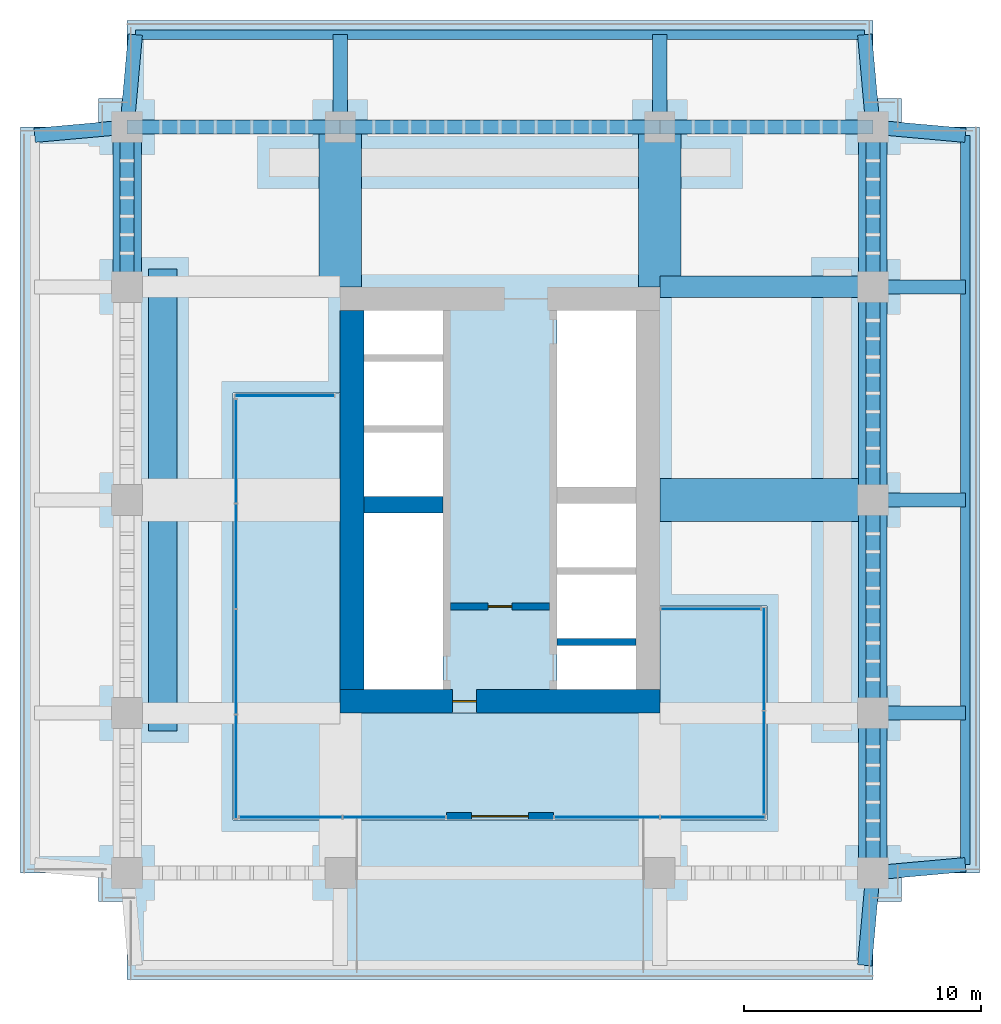
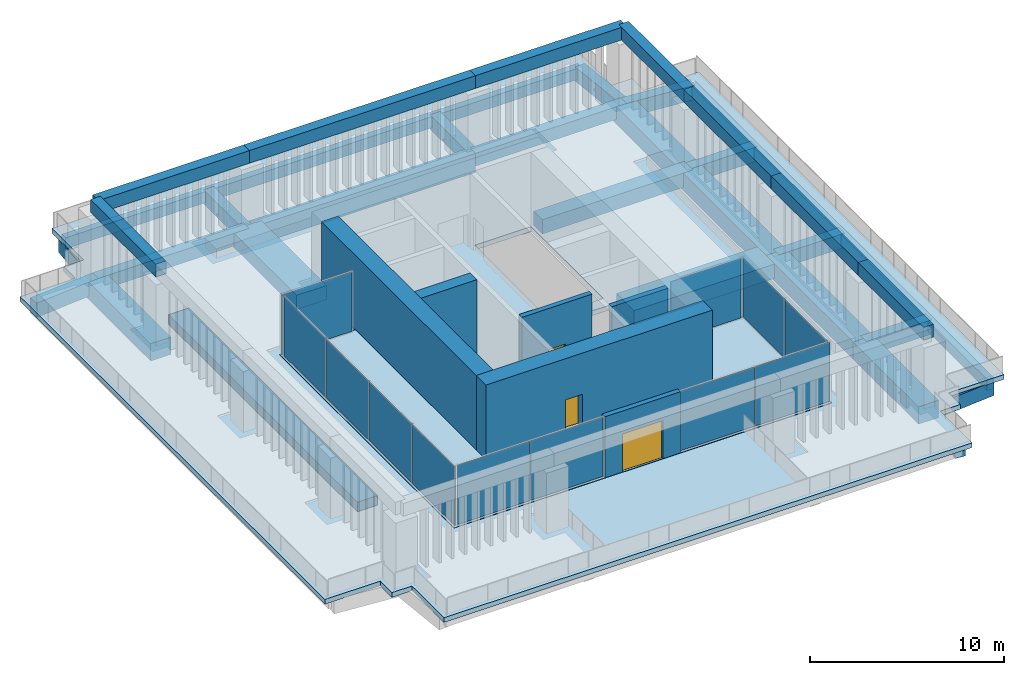
# One storey, part 6 of 9: 33 beams, 12 plates, 7 walls, 3 doors, 2 slabs, 3 openings, 6 elements without a shape of their own.
"""IFC4 building model written with IfcOpenShell, lengths in metres."""

from ifc_helpers import new_model, si_unit, direction, frame, frame_2d, origin, origin_2d, place, context, subcontext, project, spatial, polyline, rectangle, outline, extrude, material, layer, layer_set, material_profile, profile_set, type_object, element, fill, aggregate, save


model = new_model("IFC4")

# Units and contexts
model_context = context("Model", 3, precision=1e-05, world=origin(), true_north=direction((0.0, 1.0)))
body_context = subcontext(model_context, "Body", "Model", "MODEL_VIEW")
ifc_project = project(units=[si_unit("LENGTHUNIT", "METRE"), si_unit("AREAUNIT", "SQUARE_METRE"), si_unit("VOLUMEUNIT", "CUBIC_METRE"), si_unit("PLANEANGLEUNIT", "RADIAN"), si_unit("MASSUNIT", "GRAM", prefix="KILO")], contexts=[model_context])

# Site, building, storey
site_placement = place(None, origin())
site = spatial("IfcSite", under=ifc_project, at=site_placement, CompositionType="ELEMENT")
building_placement = place(site_placement, origin())
building = spatial("IfcBuilding", under=site, at=building_placement, Name="Namib Vertical Campus", CompositionType="ELEMENT")
storey_placement = place(building_placement, frame((0.0, 0.0, 297.0)))
storey = spatial("IfcBuildingStorey", under=building, at=storey_placement, Name="L70", CompositionType="ELEMENT", Elevation=297.0)

# Beams
ifc_material_1 = material(Name="Concrete C40/50", Category="concrete")
ifc_material_profile_1 = material_profile(ifc_material_1, rectangle(XDim=0.60009765625, YDim=0.89990234375, at=origin_2d()))
ifc_profile_set_1 = profile_set([ifc_material_profile_1], Name="Concrete C40/50")
beam_type_1 = type_object("IfcBeamType", Name="Cantilever girder RC 600x900", PredefinedType="BEAM", material=ifc_profile_set_1)
for number, where, z_axis, x_axis, name in (
    (1, (36.0, 4.5, -0.699951171875), (-0.089411326146, -0.995994786511, 0.0), (0.995994786511, -0.089411326146, 0.0), "Beam B3 L70"),
    (2, (4.5, 36.0, -0.699951171875), (0.089411326146, 0.995994786511, 0.0), (-0.995994786511, 0.089411326146, 0.0), "Beam B3 L70"),
):
    element("IfcBeam", number, at=place(storey_placement, frame(where, z_axis=z_axis, x_axis=x_axis)), inside=storey, type_object=beam_type_1, Name=name, PredefinedType="BEAM", context=body_context, shape_type="SweptSolid", body=[
        extrude(rectangle(XDim=0.60009765625, YDim=0.89990234375, at=origin_2d()), origin(), (0.0, 0.0, 1.0), 3.91552734375),
    ])
for number, where, z_axis, x_axis, name in (
    (3, (13.5, 36.0, -0.699951171875), (0.0, 1.0, 0.0), (-1.0, 0.0, 0.0), "Beam B3 L70"),
    (4, (27.0, 36.0, -0.699951171875), (0.0, 1.0, 0.0), (-1.0, 0.0, 0.0), "Beam B3 L70"),
):
    element("IfcBeam", number, at=place(storey_placement, frame(where, z_axis=z_axis, x_axis=x_axis)), inside=storey, type_object=beam_type_1, Name=name, PredefinedType="BEAM", context=body_context, shape_type="SweptSolid", body=[
        extrude(rectangle(XDim=0.60009765625, YDim=0.89990234375, at=origin_2d()), origin(), (0.0, 0.0, 1.0), 3.89990234375),
    ])
for number, where, z_axis, x_axis, name in (
    (5, (36.0, 36.0, -0.699951171875), (-0.089411326146, 0.995994786511, 0.0), (-0.995994786511, -0.089411326146, 0.0), "Beam B3 L70"),
    (6, (4.5, 36.0, -0.699951171875), (-0.995994786511, -0.089411326146, 0.0), (0.089411326146, -0.995994786511, 0.0), "Beam B3 L70"),
    (7, (36.0, 4.5, -0.699951171875), (0.995994786511, 0.089411326146, 0.0), (-0.089411326146, 0.995994786511, 0.0), "Beam B3 L70"),
):
    element("IfcBeam", number, at=place(storey_placement, frame(where, z_axis=z_axis, x_axis=x_axis)), inside=storey, type_object=beam_type_1, Name=name, PredefinedType="BEAM", context=body_context, shape_type="SweptSolid", body=[
        extrude(rectangle(XDim=0.60009765625, YDim=0.89990234375, at=origin_2d()), origin(), (0.0, 0.0, 1.0), 3.91552734375),
    ])
for number, where, z_axis, x_axis, name in (
    (8, (36.0, 11.25, -0.699951171875), (1.0, 0.0, 0.0), (0.0, 1.0, 0.0), "Beam B3 L70"),
    (9, (36.0, 20.25, -0.699951171875), (1.0, 0.0, 0.0), (0.0, 1.0, 0.0), "Beam B3 L70"),
    (10, (36.0, 29.25, -0.699951171875), (1.0, 0.0, 0.0), (0.0, 1.0, 0.0), "Beam B3 L70"),
):
    element("IfcBeam", number, at=place(storey_placement, frame(where, z_axis=z_axis, x_axis=x_axis)), inside=storey, type_object=beam_type_1, Name=name, PredefinedType="BEAM", context=body_context, shape_type="SweptSolid", body=[
        extrude(rectangle(XDim=0.60009765625, YDim=0.89990234375, at=origin_2d()), origin(), (0.0, 0.0, 1.0), 3.89990234375),
    ])
beam_1_placement = place(storey_placement, frame((36.0, 36.0, -0.699951171875), z_axis=(0.995994786511, -0.089411326146, 0.0), x_axis=(0.089411326146, 0.995994786511, 0.0)))
element("IfcBeam", 11, at=beam_1_placement, inside=storey, type_object=beam_type_1, Name="Beam B3 L70", PredefinedType="BEAM", context=body_context, shape_type="SweptSolid", body=[
    extrude(rectangle(XDim=0.60009765625, YDim=0.89990234375, at=origin_2d()), origin(), (0.0, 0.0, 1.0), 3.91552734375),
])
ifc_material_2 = material(Name="Concrete C40/50", Category="concrete")
ifc_material_profile_2 = material_profile(ifc_material_2, rectangle(XDim=0.39990234375, YDim=0.699951171875, at=origin_2d()))
ifc_profile_set_2 = profile_set([ifc_material_profile_2], Name="Concrete C40/50")
beam_type_2 = type_object("IfcBeamType", Name="Edge beam RC 400x700", PredefinedType="SPANDREL", material=ifc_profile_set_2)
for number, where, z_axis, x_axis, name in (
    (12, (4.85009765625, 39.89990234375, -0.60009765625), (1.0, 0.0, 0.0), (0.0, 1.0, 0.0), "Beam B4 L70"),
    (13, (39.89990234375, 4.85009765625, -0.60009765625), (0.0, 1.0, 0.0), (-1.0, 0.0, 0.0), "Beam B4 L70"),
):
    element("IfcBeam", number, at=place(storey_placement, frame(where, z_axis=z_axis, x_axis=x_axis)), inside=storey, type_object=beam_type_2, Name=name, PredefinedType="SPANDREL", context=body_context, shape_type="SweptSolid", body=[
        extrude(rectangle(XDim=0.39990234375, YDim=0.699951171875, at=origin_2d()), origin(), (0.0, 0.0, 1.0), 30.7998046875),
    ])
ifc_material_3 = material(Name="Concrete C40/50", Category="concrete")
ifc_material_profile_3 = material_profile(ifc_material_3, rectangle(XDim=0.89990234375, YDim=0.89990234375, at=origin_2d()))
ifc_profile_set_3 = profile_set([ifc_material_profile_3], Name="Concrete C40/50")
beam_type_3 = type_object("IfcBeamType", Name="Face girder RC 900x900", PredefinedType="BEAM", material=ifc_profile_set_3)
beam_2_placement = place(storey_placement, frame((36.0, 29.25, -0.699951171875), z_axis=(-1.0, 0.0, 0.0), x_axis=(0.0, -1.0, 0.0)))
element("IfcBeam", 14, at=beam_2_placement, inside=storey, type_object=beam_type_3, Name="Beam B10 L70", PredefinedType="BEAM", context=body_context, shape_type="SweptSolid", body=[
    extrude(rectangle(XDim=0.89990234375, YDim=0.89990234375, at=origin_2d()), origin(), (0.0, 0.0, 1.0), 9.0),
])
ifc_material_4 = material(Name="Concrete C40/50", Category="concrete")
ifc_material_profile_4 = material_profile(ifc_material_4, rectangle(XDim=1.199951171875, YDim=1.10009765625, at=origin_2d()))
ifc_profile_set_4 = profile_set([ifc_material_profile_4], Name="Concrete C40/50")
beam_type_4 = type_object("IfcBeamType", Name="Face ring beam RC 1200x1100", PredefinedType="BEAM", material=ifc_profile_set_4)
for number, where, z_axis, x_axis, name in (
    (15, (4.5, 29.25, -0.800048828125), (0.0, 1.0, 0.0), (-1.0, 0.0, 0.0), "Beam B11 L70"),
    (16, (36.0, 4.5, -0.800048828125), (0.0, 1.0, 0.0), (-1.0, 0.0, 0.0), "Beam B11 L70"),
):
    element("IfcBeam", number, at=place(storey_placement, frame(where, z_axis=z_axis, x_axis=x_axis)), inside=storey, type_object=beam_type_4, Name=name, PredefinedType="BEAM", context=body_context, shape_type="SweptSolid", body=[
        extrude(rectangle(XDim=1.199951171875, YDim=1.10009765625, at=origin_2d()), origin(), (0.0, 0.0, 1.0), 6.75),
    ])
for number, where, z_axis, x_axis, name in (
    (17, (36.0, 11.25, -0.800048828125), (0.0, 1.0, 0.0), (-1.0, 0.0, 0.0), "Beam B11 L70"),
    (18, (36.0, 20.25, -0.800048828125), (0.0, 1.0, 0.0), (-1.0, 0.0, 0.0), "Beam B11 L70"),
):
    element("IfcBeam", number, at=place(storey_placement, frame(where, z_axis=z_axis, x_axis=x_axis)), inside=storey, type_object=beam_type_4, Name=name, PredefinedType="BEAM", context=body_context, shape_type="SweptSolid", body=[
        extrude(rectangle(XDim=1.199951171875, YDim=1.10009765625, at=origin_2d()), origin(), (0.0, 0.0, 1.0), 9.0),
    ])
beam_3_placement = place(storey_placement, frame((36.0, 29.25, -0.800048828125), z_axis=(0.0, 1.0, 0.0), x_axis=(-1.0, 0.0, 0.0)))
element("IfcBeam", 19, at=beam_3_placement, inside=storey, type_object=beam_type_4, Name="Beam B11 L70", PredefinedType="BEAM", context=body_context, shape_type="SweptSolid", body=[
    extrude(rectangle(XDim=1.199951171875, YDim=1.10009765625, at=origin_2d()), origin(), (0.0, 0.0, 1.0), 6.75),
])
ifc_material_5 = material(Name="Concrete C40/50", Category="concrete")
ifc_material_profile_5 = material_profile(ifc_material_5, rectangle(XDim=0.60009765625, YDim=1.199951171875, at=origin_2d()))
ifc_profile_set_5 = profile_set([ifc_material_profile_5], Name="Concrete C40/50")
beam_type_5 = type_object("IfcBeamType", Name="Long-span ring beam RC 600x1200", PredefinedType="BEAM", material=ifc_profile_set_5)
beam_4_placement = place(storey_placement, frame((13.5, 36.0, -0.85009765625), z_axis=(1.0, 0.0, 0.0), x_axis=(0.0, 1.0, 0.0)))
element("IfcBeam", 20, at=beam_4_placement, inside=storey, type_object=beam_type_5, Name="Beam B9 L70", PredefinedType="BEAM", context=body_context, shape_type="SweptSolid", body=[
    extrude(rectangle(XDim=0.60009765625, YDim=1.199951171875, at=origin_2d()), origin(), (0.0, 0.0, 1.0), 13.5),
])
ifc_material_6 = material(Name="Concrete C40/50", Category="concrete")
ifc_material_profile_6 = material_profile(ifc_material_6, rectangle(XDim=1.800048828125, YDim=0.89990234375, at=origin_2d()))
ifc_profile_set_6 = profile_set([ifc_material_profile_6], Name="Concrete C40/50")
beam_type_6 = type_object("IfcBeamType", Name="Outrigger line girder RC 1800x900", PredefinedType="BEAM", material=ifc_profile_set_6)
for number, where, z_axis, x_axis, name in (
    (21, (13.5, 36.0, -0.699951171875), (0.0, -1.0, 0.0), (1.0, 0.0, 0.0), "Beam B12 L70"),
    (22, (27.0, 36.0, -0.699951171875), (0.0, -1.0, 0.0), (1.0, 0.0, 0.0), "Beam B12 L70"),
):
    element("IfcBeam", number, at=place(storey_placement, frame(where, z_axis=z_axis, x_axis=x_axis)), inside=storey, type_object=beam_type_6, Name=name, PredefinedType="BEAM", context=body_context, shape_type="SweptSolid", body=[
        extrude(rectangle(XDim=1.800048828125, YDim=0.89990234375, at=origin_2d()), origin(), (0.0, 0.0, 1.0), 6.75),
    ])
beam_5_placement = place(storey_placement, frame((36.0, 20.25, -0.699951171875), z_axis=(-1.0, 0.0, 0.0), x_axis=(0.0, -1.0, 0.0)))
element("IfcBeam", 23, at=beam_5_placement, inside=storey, type_object=beam_type_6, Name="Beam B12 L70", PredefinedType="BEAM", context=body_context, shape_type="SweptSolid", body=[
    extrude(rectangle(XDim=1.800048828125, YDim=0.89990234375, at=origin_2d()), origin(), (0.0, 0.0, 1.0), 9.0),
])
ifc_material_7 = material(Name="Concrete C40/50", Category="concrete")
ifc_material_profile_7 = material_profile(ifc_material_7, rectangle(XDim=0.60009765625, YDim=0.800048828125, at=origin_2d()))
ifc_profile_set_7 = profile_set([ifc_material_profile_7], Name="Concrete C40/50")
beam_type_7 = type_object("IfcBeamType", Name="Ring beam RC 600x800", PredefinedType="BEAM", material=ifc_profile_set_7)
for number, where, z_axis, x_axis, name in (
    (24, (4.5, 36.0, -0.64990234375), (1.0, 0.0, 0.0), (0.0, 1.0, 0.0), "Beam B1 L70"),
    (25, (27.0, 36.0, -0.64990234375), (1.0, 0.0, 0.0), (0.0, 1.0, 0.0), "Beam B1 L70"),
    (26, (4.5, 36.0, 4.25), (1.0, 0.0, 0.0), (0.0, 1.0, 0.0), "Canopy ring beam B1 RBN1"),
):
    element("IfcBeam", number, at=place(storey_placement, frame(where, z_axis=z_axis, x_axis=x_axis)), inside=storey, type_object=beam_type_7, Name=name, PredefinedType="BEAM", context=body_context, shape_type="SweptSolid", body=[
        extrude(rectangle(XDim=0.60009765625, YDim=0.800048828125, at=origin_2d()), origin(), (0.0, 0.0, 1.0), 9.0),
    ])
beam_6_placement = place(storey_placement, frame((13.5, 36.0, 4.25), z_axis=(1.0, 0.0, 0.0), x_axis=(0.0, 1.0, 0.0)))
element("IfcBeam", 27, at=beam_6_placement, inside=storey, type_object=beam_type_7, Name="Canopy ring beam B1 RBN2", PredefinedType="BEAM", context=body_context, shape_type="SweptSolid", body=[
    extrude(rectangle(XDim=0.60009765625, YDim=0.800048828125, at=origin_2d()), origin(), (0.0, 0.0, 1.0), 13.5),
])
beam_7_placement = place(storey_placement, frame((27.0, 36.0, 4.25), z_axis=(1.0, 0.0, 0.0), x_axis=(0.0, 1.0, 0.0)))
element("IfcBeam", 28, at=beam_7_placement, inside=storey, type_object=beam_type_7, Name="Canopy ring beam B1 RBN3", PredefinedType="BEAM", context=body_context, shape_type="SweptSolid", body=[
    extrude(rectangle(XDim=0.60009765625, YDim=0.800048828125, at=origin_2d()), origin(), (0.0, 0.0, 1.0), 9.0),
])
for number, where, z_axis, x_axis, name in (
    (29, (4.5, 29.25, 4.25), (0.0, 1.0, 0.0), (-1.0, 0.0, 0.0), "Canopy ring beam B1 RBW4"),
    (30, (36.0, 4.5, 4.25), (0.0, 1.0, 0.0), (-1.0, 0.0, 0.0), "Canopy ring beam B1 RBE1"),
):
    element("IfcBeam", number, at=place(storey_placement, frame(where, z_axis=z_axis, x_axis=x_axis)), inside=storey, type_object=beam_type_7, Name=name, PredefinedType="BEAM", context=body_context, shape_type="SweptSolid", body=[
        extrude(rectangle(XDim=0.60009765625, YDim=0.800048828125, at=origin_2d()), origin(), (0.0, 0.0, 1.0), 6.75),
    ])
for number, where, z_axis, x_axis, name in (
    (31, (36.0, 11.25, 4.25), (0.0, 1.0, 0.0), (-1.0, 0.0, 0.0), "Canopy ring beam B1 RBE2"),
    (32, (36.0, 20.25, 4.25), (0.0, 1.0, 0.0), (-1.0, 0.0, 0.0), "Canopy ring beam B1 RBE3"),
):
    element("IfcBeam", number, at=place(storey_placement, frame(where, z_axis=z_axis, x_axis=x_axis)), inside=storey, type_object=beam_type_7, Name=name, PredefinedType="BEAM", context=body_context, shape_type="SweptSolid", body=[
        extrude(rectangle(XDim=0.60009765625, YDim=0.800048828125, at=origin_2d()), origin(), (0.0, 0.0, 1.0), 9.0),
    ])
beam_8_placement = place(storey_placement, frame((36.0, 29.25, 4.25), z_axis=(0.0, 1.0, 0.0), x_axis=(-1.0, 0.0, 0.0)))
element("IfcBeam", 33, at=beam_8_placement, inside=storey, type_object=beam_type_7, Name="Canopy ring beam B1 RBE4", PredefinedType="BEAM", context=body_context, shape_type="SweptSolid", body=[
    extrude(rectangle(XDim=0.60009765625, YDim=0.800048828125, at=origin_2d()), origin(), (0.0, 0.0, 1.0), 6.75),
])

# Curtain wall, plates
ifc_material_8 = material(Name="Black aluminium curtain wall", Category="aluminium")
ifc_layer_1 = layer(ifc_material_8, 0.199951171875)
ifc_layer_set_1 = layer_set([ifc_layer_1], Name="Pavilion curtain wall CW-PV")
curtain_wall_type = type_object("IfcCurtainWallType", Name="Pavilion curtain wall CW-PV", PredefinedType="USERDEFINED", material=ifc_layer_set_1)
curtain_wall_1_placement = place(storey_placement, origin())
curtain_wall_1 = element("IfcCurtainWall", 34, at=curtain_wall_1_placement, inside=storey, type_object=curtain_wall_type, Name="Curtain wall CW-PV L70 1", ObjectType="CURTAIN WALL", PredefinedType="USERDEFINED")
ifc_material_9 = material(Name="Dark tinted glass", Category="glass")
ifc_layer_2 = layer(ifc_material_9, 0.028076171875)
ifc_layer_set_2 = layer_set([ifc_layer_2], Name="Dark solar glass panel 28")
plate_type = type_object("IfcPlateType", Name="Dark solar glass panel 28", PredefinedType="CURTAIN_PANEL", material=ifc_layer_set_2)
plate_1_placement = place(storey_placement, frame((31.39990234375, 9.1650390625, 0.06005859375), z_axis=(0.0, 0.0, 1.0), x_axis=(0.0, 1.0, 0.0)))
plate_1 = element("IfcPlate", 35, at=plate_1_placement, type_object=plate_type, Name="CW-PV panel 1.1", PredefinedType="CURTAIN_PANEL", context=body_context, shape_type="SweptSolid", body=[
    extrude(rectangle(XDim=4.31005859375, YDim=0.028076171875, at=origin_2d()), origin(), (0.0, 0.0, 1.0), 3.72998046875),
])
plate_2_placement = place(storey_placement, frame((31.39990234375, 13.534912109375, 0.06005859375), z_axis=(0.0, 0.0, 1.0), x_axis=(0.0, 1.0, 0.0)))
plate_2 = element("IfcPlate", 36, at=plate_2_placement, type_object=plate_type, Name="CW-PV panel 2.1", PredefinedType="CURTAIN_PANEL", context=body_context, shape_type="SweptSolid", body=[
    extrude(rectangle(XDim=4.31005859375, YDim=0.028076171875, at=origin_2d()), origin(), (0.0, 0.0, 1.0), 3.72998046875),
])
aggregate(curtain_wall_1, [plate_1, plate_2])

# Curtain wall, plate
curtain_wall_2_placement = place(storey_placement, origin())
curtain_wall_2 = element("IfcCurtainWall", 37, at=curtain_wall_2_placement, inside=storey, type_object=curtain_wall_type, Name="Curtain wall CW-PV L70 2", ObjectType="CURTAIN WALL", PredefinedType="USERDEFINED")
plate_3_placement = place(storey_placement, frame((29.14990234375, 15.64990234375, 0.06005859375), z_axis=(0.0, 0.0, 1.0), x_axis=(-1.0, 0.0, 0.0)))
plate_3 = element("IfcPlate", 38, at=plate_3_placement, type_object=plate_type, Name="CW-PV panel 1.1", PredefinedType="CURTAIN_PANEL", context=body_context, shape_type="SweptSolid", body=[
    extrude(rectangle(XDim=4.179931640625, YDim=0.028076171875, at=origin_2d()), origin(), (0.0, 0.0, 1.0), 3.72998046875),
])
aggregate(curtain_wall_2, [plate_3])

curtain_wall_3_placement = place(storey_placement, origin())
curtain_wall_3 = element("IfcCurtainWall", 39, at=curtain_wall_3_placement, inside=storey, type_object=curtain_wall_type, Name="Curtain wall CW-PV L70 6", ObjectType="CURTAIN WALL", PredefinedType="USERDEFINED")
plate_4_placement = place(storey_placement, frame((11.14990234375, 24.64990234375, 0.06005859375), z_axis=(0.0, 0.0, 1.0), x_axis=(-1.0, 0.0, 0.0)))
plate_4 = element("IfcPlate", 40, at=plate_4_placement, type_object=plate_type, Name="CW-PV panel 1.1", PredefinedType="CURTAIN_PANEL", context=body_context, shape_type="SweptSolid", body=[
    extrude(rectangle(XDim=4.179931640625, YDim=0.028076171875, at=origin_2d()), origin(), (0.0, 0.0, 1.0), 3.72998046875),
])
aggregate(curtain_wall_3, [plate_4])

# Curtain wall, plates
curtain_wall_4_placement = place(storey_placement, origin())
curtain_wall_4 = element("IfcCurtainWall", 41, at=curtain_wall_4_placement, inside=storey, type_object=curtain_wall_type, Name="Curtain wall CW-PV L70 7", ObjectType="CURTAIN WALL", PredefinedType="USERDEFINED")
plate_5_placement = place(storey_placement, frame((9.10009765625, 22.31005859375, 0.06005859375), z_axis=(0.0, 0.0, 1.0), x_axis=(0.0, -1.0, 0.0)))
plate_5 = element("IfcPlate", 42, at=plate_5_placement, type_object=plate_type, Name="CW-PV panel 1.1", PredefinedType="CURTAIN_PANEL", context=body_context, shape_type="SweptSolid", body=[
    extrude(rectangle(XDim=4.360107421875, YDim=0.028076171875, at=origin_2d()), origin(), (0.0, 0.0, 1.0), 3.72998046875),
])
plate_6_placement = place(storey_placement, frame((9.10009765625, 17.875, 0.06005859375), z_axis=(0.0, 0.0, 1.0), x_axis=(0.0, -1.0, 0.0)))
plate_6 = element("IfcPlate", 43, at=plate_6_placement, type_object=plate_type, Name="CW-PV panel 2.1", PredefinedType="CURTAIN_PANEL", context=body_context, shape_type="SweptSolid", body=[
    extrude(rectangle(XDim=4.389892578125, YDim=0.028076171875, at=origin_2d()), origin(), (0.0, 0.0, 1.0), 3.72998046875),
])
plate_7_placement = place(storey_placement, frame((9.10009765625, 13.425048828125, 0.06005859375), z_axis=(0.0, 0.0, 1.0), x_axis=(0.0, -1.0, 0.0)))
plate_7 = element("IfcPlate", 44, at=plate_7_placement, type_object=plate_type, Name="CW-PV panel 3.1", PredefinedType="CURTAIN_PANEL", context=body_context, shape_type="SweptSolid", body=[
    extrude(rectangle(XDim=4.389892578125, YDim=0.028076171875, at=origin_2d()), origin(), (0.0, 0.0, 1.0), 3.72998046875),
])
plate_8_placement = place(storey_placement, frame((9.10009765625, 8.989990234375, 0.06005859375), z_axis=(0.0, 0.0, 1.0), x_axis=(0.0, -1.0, 0.0)))
plate_8 = element("IfcPlate", 45, at=plate_8_placement, type_object=plate_type, Name="CW-PV panel 4.1", PredefinedType="CURTAIN_PANEL", context=body_context, shape_type="SweptSolid", body=[
    extrude(rectangle(XDim=4.360107421875, YDim=0.028076171875, at=origin_2d()), origin(), (0.0, 0.0, 1.0), 3.72998046875),
])
aggregate(curtain_wall_4, [plate_5, plate_6, plate_7, plate_8])

curtain_wall_5_placement = place(storey_placement, origin())
curtain_wall_5 = element("IfcCurtainWall", 46, at=curtain_wall_5_placement, inside=storey, type_object=curtain_wall_type, Name="Curtain wall CW-PV L70 south 1", ObjectType="CURTAIN WALL", PredefinedType="USERDEFINED")
plate_9_placement = place(storey_placement, frame((11.4150390625, 6.85009765625, 0.06005859375), z_axis=(0.0, 0.0, 1.0), x_axis=(1.0, 0.0, 0.0)))
plate_9 = element("IfcPlate", 47, at=plate_9_placement, type_object=plate_type, Name="CW-PV panel 1.1", PredefinedType="CURTAIN_PANEL", context=body_context, shape_type="SweptSolid", body=[
    extrude(rectangle(XDim=4.31005859375, YDim=0.028076171875, at=origin_2d()), origin(), (0.0, 0.0, 1.0), 3.72998046875),
])
plate_10_placement = place(storey_placement, frame((15.784912109375, 6.85009765625, 0.06005859375), z_axis=(0.0, 0.0, 1.0), x_axis=(1.0, 0.0, 0.0)))
plate_10 = element("IfcPlate", 48, at=plate_10_placement, type_object=plate_type, Name="CW-PV panel 2.1", PredefinedType="CURTAIN_PANEL", context=body_context, shape_type="SweptSolid", body=[
    extrude(rectangle(XDim=4.31005859375, YDim=0.028076171875, at=origin_2d()), origin(), (0.0, 0.0, 1.0), 3.72998046875),
])
aggregate(curtain_wall_5, [plate_9, plate_10])

curtain_wall_6_placement = place(storey_placement, origin())
curtain_wall_6 = element("IfcCurtainWall", 49, at=curtain_wall_6_placement, inside=storey, type_object=curtain_wall_type, Name="Curtain wall CW-PV L70 south 2", ObjectType="CURTAIN WALL", PredefinedType="USERDEFINED")
plate_11_placement = place(storey_placement, frame((24.764892578125, 6.85009765625, 0.06005859375), z_axis=(0.0, 0.0, 1.0), x_axis=(1.0, 0.0, 0.0)))
plate_11 = element("IfcPlate", 50, at=plate_11_placement, type_object=plate_type, Name="CW-PV panel 1.1", PredefinedType="CURTAIN_PANEL", context=body_context, shape_type="SweptSolid", body=[
    extrude(rectangle(XDim=4.409912109375, YDim=0.028076171875, at=origin_2d()), origin(), (0.0, 0.0, 1.0), 3.72998046875),
])
plate_12_placement = place(storey_placement, frame((29.235107421875, 6.85009765625, 0.06005859375), z_axis=(0.0, 0.0, 1.0), x_axis=(1.0, 0.0, 0.0)))
plate_12 = element("IfcPlate", 51, at=plate_12_placement, type_object=plate_type, Name="CW-PV panel 2.1", PredefinedType="CURTAIN_PANEL", context=body_context, shape_type="SweptSolid", body=[
    extrude(rectangle(XDim=4.409912109375, YDim=0.028076171875, at=origin_2d()), origin(), (0.0, 0.0, 1.0), 3.72998046875),
])
aggregate(curtain_wall_6, [plate_11, plate_12])

# Slabs
ifc_material_10 = material(Name="Concrete C40/50", Category="concrete")
ifc_layer_3 = layer(ifc_material_10, 0.300048828125)
ifc_layer_set_3 = layer_set([ifc_layer_3], Name="Concrete C40/50")
slab_type_1 = type_object("IfcSlabType", Name="Floor slab 300", PredefinedType="FLOOR", material=ifc_layer_set_3)
slab_1_placement = place(storey_placement, frame((0.0, 0.0, -0.300048828125)))
element("IfcSlab", 52, at=slab_1_placement, inside=storey, type_object=slab_type_1, Name="Crown reading room floor slab", PredefinedType="FLOOR", context=body_context, shape_type="SweptSolid", body=[
    extrude(outline(polyline([(9.0, 6.75), (31.5, 6.75), (31.5, 15.75), (27.0, 15.75), (27.0, 11.25), (13.5, 11.25), (13.5, 24.75), (9.0, 24.75), (9.0, 6.75)])), origin(), (0.0, 0.0, 1.0), 0.300048828125),
])
ifc_material_11 = material(Name="Concrete C40/50", Category="concrete")
ifc_layer_4 = layer(ifc_material_11, 0.300048828125)
ifc_layer_set_4 = layer_set([ifc_layer_4], Name="Concrete C40/50")
slab_type_2 = type_object("IfcSlabType", Name="Sky garden roof slab 300", PredefinedType="ROOF", material=ifc_layer_set_4)
slab_2_placement = place(storey_placement, frame((0.0, 0.0, -0.300048828125)))
element("IfcSlab", 53, at=slab_2_placement, inside=storey, type_object=slab_type_2, Name="Sky garden green roof slab", PredefinedType="ROOF", context=body_context, shape_type="SweptSolid", body=[
    extrude(outline(polyline([(3.300048828125, 3.300048828125), (4.5, 3.300048828125), (4.5, 0.0), (36.0, 0.0), (36.0, 3.300048828125), (37.199951171875, 3.300048828125), (37.199951171875, 4.5), (40.5, 4.5), (40.5, 36.0), (37.199951171875, 36.0), (37.199951171875, 37.199951171875), (36.0, 37.199951171875), (36.0, 40.5), (4.5, 40.5), (4.5, 37.199951171875), (3.300048828125, 37.199951171875), (3.300048828125, 36.0), (0.0, 36.0), (0.0, 4.5), (3.300048828125, 4.5), (3.300048828125, 3.300048828125)]), holes=[polyline([(26.97998046875, 15.77001953125), (31.52001953125, 15.77001953125), (31.52001953125, 6.72998046875), (8.97998046875, 6.72998046875), (8.97998046875, 24.77001953125), (13.52001953125, 24.77001953125), (13.52001953125, 11.27001953125), (26.97998046875, 11.27001953125), (26.97998046875, 15.77001953125)]), polyline([(22.64990234375, 14.10009765625), (26.0, 14.10009765625), (26.0, 12.25), (22.64990234375, 12.25), (22.64990234375, 14.10009765625)]), polyline([(22.64990234375, 17.10009765625), (26.0, 17.10009765625), (26.0, 14.39990234375), (22.64990234375, 14.39990234375), (22.64990234375, 17.10009765625)]), polyline([(22.64990234375, 20.10009765625), (26.0, 20.10009765625), (26.0, 17.39990234375), (22.64990234375, 17.39990234375), (22.64990234375, 20.10009765625)]), polyline([(22.64990234375, 28.25), (26.0, 28.25), (26.0, 20.800048828125), (22.64990234375, 20.800048828125), (22.64990234375, 28.25)]), polyline([(14.5, 19.699951171875), (17.85009765625, 19.699951171875), (17.85009765625, 12.25), (14.5, 12.25), (14.5, 19.699951171875)]), polyline([(14.5, 23.10009765625), (17.85009765625, 23.10009765625), (17.85009765625, 20.39990234375), (14.5, 20.39990234375), (14.5, 23.10009765625)]), polyline([(14.5, 26.10009765625), (17.85009765625, 26.10009765625), (17.85009765625, 23.39990234375), (14.5, 23.39990234375), (14.5, 26.10009765625)]), polyline([(14.5, 28.25), (17.85009765625, 28.25), (17.85009765625, 26.39990234375), (14.5, 26.39990234375), (14.5, 28.25)])]), origin(), (0.0, 0.0, 1.0), 0.300048828125),
])

# Wall, opening, door
ifc_material_12 = material(Name="Concrete C60/75", Category="concrete")
ifc_layer_5 = layer(ifc_material_12, 0.300048828125)
ifc_layer_set_5 = layer_set([ifc_layer_5], Name="Concrete C60/75")
wall_type_1 = type_object("IfcWallType", Name="Core inner wall 300", PredefinedType="SHEAR", material=ifc_layer_set_5)
wall_1_placement = place(storey_placement, frame((18.14990234375, 15.75, 0.0), z_axis=(0.0, 0.0, 1.0), x_axis=(1.0, 0.0, 0.0)))
wall_1 = element("IfcWall", 54, at=wall_1_placement, inside=storey, type_object=wall_type_1, Name="Core inner wall A L70 W4", PredefinedType="SHEAR", context=body_context, shape_type="SweptSolid", body=[
    extrude(rectangle(XDim=4.2001953125, YDim=0.300048828125, at=frame_2d((2.10009765625, 0.0))), origin(), (0.0, 0.0, 1.0), 4.699951171875),
])
opening_1_placement = place(wall_1_placement, frame((1.60009765625, 0.0, 0.0)))
opening_1 = element("IfcOpeningElement", 55, at=opening_1_placement, cuts=wall_1, Name="Opening FD5", PredefinedType="OPENING", context=body_context, shape_type="SweptSolid", body=[
    extrude(rectangle(XDim=1.0, YDim=2.10009765625, at=frame_2d((0.5, 1.050048828125))), frame((0.0, 0.159912109375, 0.0), z_axis=(0.0, -1.0, 0.0), x_axis=(1.0, 0.0, 0.0)), (0.0, 0.0, 1.0), 0.320068359375),
])
ifc_material_13 = material(Name="Steel fire door", Category="steel")
door_type_1 = type_object("IfcDoorType", Name="Fire door 1000x2100 120 min", OperationType="SINGLE_SWING_RIGHT", PredefinedType="DOOR", material=ifc_material_13)
door_1_placement = place(opening_1_placement, frame((1.0, 0.0, 0.0), z_axis=(0.0, 0.0, 1.0), x_axis=(-1.0, 0.0, 0.0)))
door_1 = element("IfcDoor", 56, at=door_1_placement, inside=storey, type_object=door_type_1, Name="Lobby door FD5 A L70", OperationType="SINGLE_SWING_RIGHT", OverallHeight=2.10009765625, OverallWidth=1.0, PredefinedType="DOOR", context=body_context, shape_type="SweptSolid", body=[
    extrude(rectangle(XDim=1.0, YDim=2.10009765625, at=frame_2d((0.5, 1.050048828125))), frame((0.0, 0.02490234375, 0.0), z_axis=(0.0, -1.0, 0.0), x_axis=(1.0, 0.0, 0.0)), (0.0, 0.0, 1.0), 0.050048828125),
])
fill(opening_1, door_1)

# Walls
wall_2_placement = place(storey_placement, frame((22.64990234375, 14.25, 0.0), z_axis=(0.0, 0.0, 1.0), x_axis=(1.0, 0.0, 0.0)))
element("IfcWall", 57, at=wall_2_placement, inside=storey, type_object=wall_type_1, Name="Core inner wall A L70 W5", PredefinedType="SHEAR", context=body_context, shape_type="SweptSolid", body=[
    extrude(rectangle(XDim=3.35009765625, YDim=0.300048828125, at=frame_2d((1.675048828125, 0.0))), origin(), (0.0, 0.0, 1.0), 4.699951171875),
])
ifc_material_14 = material(Name="Concrete C60/75", Category="concrete")
ifc_layer_6 = layer(ifc_material_14, 0.699951171875)
ifc_layer_set_6 = layer_set([ifc_layer_6], Name="Concrete C60/75")
wall_type_2 = type_object("IfcWallType", Name="Core shear wall 700", PredefinedType="SHEAR", material=ifc_layer_set_6)
wall_3_placement = place(storey_placement, frame((14.5, 20.050048828125, 0.0), z_axis=(0.0, 0.0, 1.0), x_axis=(1.0, 0.0, 0.0)))
element("IfcWall", 58, at=wall_3_placement, inside=storey, type_object=wall_type_2, Name="Core shear wall A L70 W3", PredefinedType="SHEAR", context=body_context, shape_type="SweptSolid", body=[
    extrude(rectangle(XDim=3.35009765625, YDim=0.699951171875, at=frame_2d((1.675048828125, 0.0))), origin(), (0.0, 0.0, 1.0), 4.699951171875),
])

# Wall, opening, door
ifc_material_15 = material(Name="Concrete C60/75", Category="concrete")
ifc_layer_7 = layer(ifc_material_15, 1.0)
ifc_layer_set_7 = layer_set([ifc_layer_7], Name="Concrete C60/75")
wall_type_3 = type_object("IfcWallType", Name="Core wall 1000", PredefinedType="SHEAR", material=ifc_layer_set_7)
wall_4_placement = place(storey_placement, frame((13.5, 11.75, 0.0), z_axis=(0.0, 0.0, 1.0), x_axis=(1.0, 0.0, 0.0)))
wall_4 = element("IfcWall", 59, at=wall_4_placement, inside=storey, type_object=wall_type_3, Name="Core wall A L70 1", PredefinedType="SHEAR", context=body_context, shape_type="SweptSolid", body=[
    extrude(rectangle(XDim=13.5, YDim=1.0, at=frame_2d((6.75, 0.0))), origin(), (0.0, 0.0, 1.0), 4.699951171875),
])
opening_2_placement = place(wall_4_placement, frame((4.75, 0.0, 0.0)))
opening_2 = element("IfcOpeningElement", 60, at=opening_2_placement, cuts=wall_4, Name="Opening FD5", PredefinedType="OPENING", context=body_context, shape_type="SweptSolid", body=[
    extrude(rectangle(XDim=1.0, YDim=2.10009765625, at=frame_2d((0.5, 1.050048828125))), frame((0.0, 0.510009765625, 0.0), z_axis=(0.0, -1.0, 0.0), x_axis=(1.0, 0.0, 0.0)), (0.0, 0.0, 1.0), 1.02001953125),
])
door_2_placement = place(opening_2_placement, frame((1.0, 0.0, 0.0), z_axis=(0.0, 0.0, 1.0), x_axis=(-1.0, 0.0, 0.0)))
door_2 = element("IfcDoor", 61, at=door_2_placement, inside=storey, type_object=door_type_1, Name="Firefighting lobby door FD5 A L70", OperationType="SINGLE_SWING_RIGHT", OverallHeight=2.10009765625, OverallWidth=1.0, PredefinedType="DOOR", context=body_context, shape_type="SweptSolid", body=[
    extrude(rectangle(XDim=1.0, YDim=2.10009765625, at=frame_2d((0.5, 1.050048828125))), frame((0.0, 0.02490234375, 0.0), z_axis=(0.0, -1.0, 0.0), x_axis=(1.0, 0.0, 0.0)), (0.0, 0.0, 1.0), 0.050048828125),
])
fill(opening_2, door_2)

# Wall
wall_5_placement = place(storey_placement, frame((14.0, 28.25, 0.0), z_axis=(0.0, 0.0, 1.0), x_axis=(0.0, -1.0, 0.0)))
element("IfcWall", 62, at=wall_5_placement, inside=storey, type_object=wall_type_3, Name="Core wall A L70 4", PredefinedType="SHEAR", context=body_context, shape_type="SweptSolid", body=[
    extrude(rectangle(XDim=16.0, YDim=1.0, at=frame_2d((8.0, 0.0))), origin(), (0.0, 0.0, 1.0), 4.699951171875),
])

# Wall, opening, door
ifc_material_16 = material(Name="Concrete C40/50", Category="concrete")
ifc_layer_8 = layer(ifc_material_16, 0.300048828125)
ifc_layer_set_8 = layer_set([ifc_layer_8], Name="Concrete C40/50")
wall_type_4 = type_object("IfcWallType", Name="External wall 300 board-marked concrete", PredefinedType="STANDARD", material=ifc_layer_set_8)
wall_6_placement = place(storey_placement, frame((18.0, 6.89990234375, 0.0), z_axis=(0.0, 0.0, 1.0), x_axis=(1.0, 0.0, 0.0)))
wall_6 = element("IfcWall", 63, at=wall_6_placement, inside=storey, type_object=wall_type_4, Name="Pavilion wall L70", PredefinedType="STANDARD", context=body_context, shape_type="SweptSolid", body=[
    extrude(rectangle(XDim=4.5, YDim=0.300048828125, at=frame_2d((2.25, 0.0))), origin(), (0.0, 0.0, 1.0), 3.85009765625),
])
opening_3_placement = place(wall_6_placement, frame((1.050048828125, 0.0, 0.0)))
opening_3 = element("IfcOpeningElement", 64, at=opening_3_placement, cuts=wall_6, Name="Opening TD1", PredefinedType="OPENING", context=body_context, shape_type="SweptSolid", body=[
    extrude(rectangle(XDim=2.39990234375, YDim=2.39990234375, at=frame_2d((1.199951171875, 1.199951171875))), frame((0.0, 0.159912109375, 0.0), z_axis=(0.0, -1.0, 0.0), x_axis=(1.0, 0.0, 0.0)), (0.0, 0.0, 1.0), 0.320068359375),
])
ifc_material_17 = material(Name="Black aluminium glazed door", Category="aluminium")
door_type_2 = type_object("IfcDoorType", Name="Sky garden sliding door 2400x2400 glazed", OperationType="DOUBLE_DOOR_SLIDING", PredefinedType="DOOR", material=ifc_material_17)
door_3_placement = place(opening_3_placement, origin())
door_3 = element("IfcDoor", 65, at=door_3_placement, inside=storey, type_object=door_type_2, Name="Terrace door TD1", OperationType="DOUBLE_DOOR_SLIDING", OverallHeight=2.39990234375, OverallWidth=2.39990234375, PredefinedType="DOOR", context=body_context, shape_type="SweptSolid", body=[
    extrude(rectangle(XDim=2.39990234375, YDim=2.39990234375, at=frame_2d((1.199951171875, 1.199951171875))), frame((0.0, 0.02490234375, 0.0), z_axis=(0.0, -1.0, 0.0), x_axis=(1.0, 0.0, 0.0)), (0.0, 0.0, 1.0), 0.050048828125),
])
fill(opening_3, door_3)

# Wall
ifc_material_18 = material(Name="Concrete C40/50 precast", Category="concrete")
ifc_layer_9 = layer(ifc_material_18, 1.199951171875)
ifc_layer_set_9 = layer_set([ifc_layer_9], Name="Concrete C40/50 precast")
wall_type_5 = type_object("IfcWallType", Name="Planter 1200", PredefinedType="USERDEFINED", material=ifc_layer_set_9)
wall_7_placement = place(storey_placement, frame((6.0, 10.5, 0.0), z_axis=(0.0, 0.0, 1.0), x_axis=(0.0, 1.0, 0.0)))
element("IfcWall", 66, at=wall_7_placement, inside=storey, type_object=wall_type_5, Name="Planter PL1 sky garden 1", ObjectType="PLANTER", PredefinedType="USERDEFINED", context=body_context, shape_type="SweptSolid", body=[
    extrude(rectangle(XDim=19.5, YDim=1.199951171875, at=frame_2d((9.75, 0.0))), origin(), (0.0, 0.0, 1.0), 0.60009765625),
])

save(model, "model.ifc")
